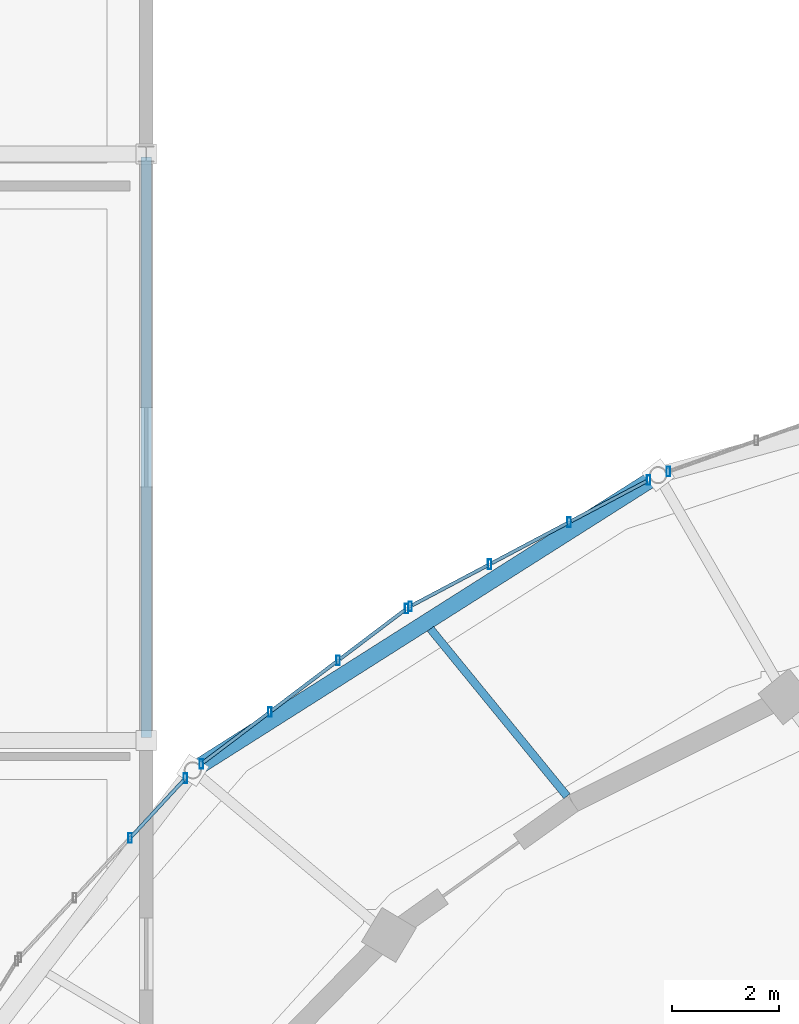
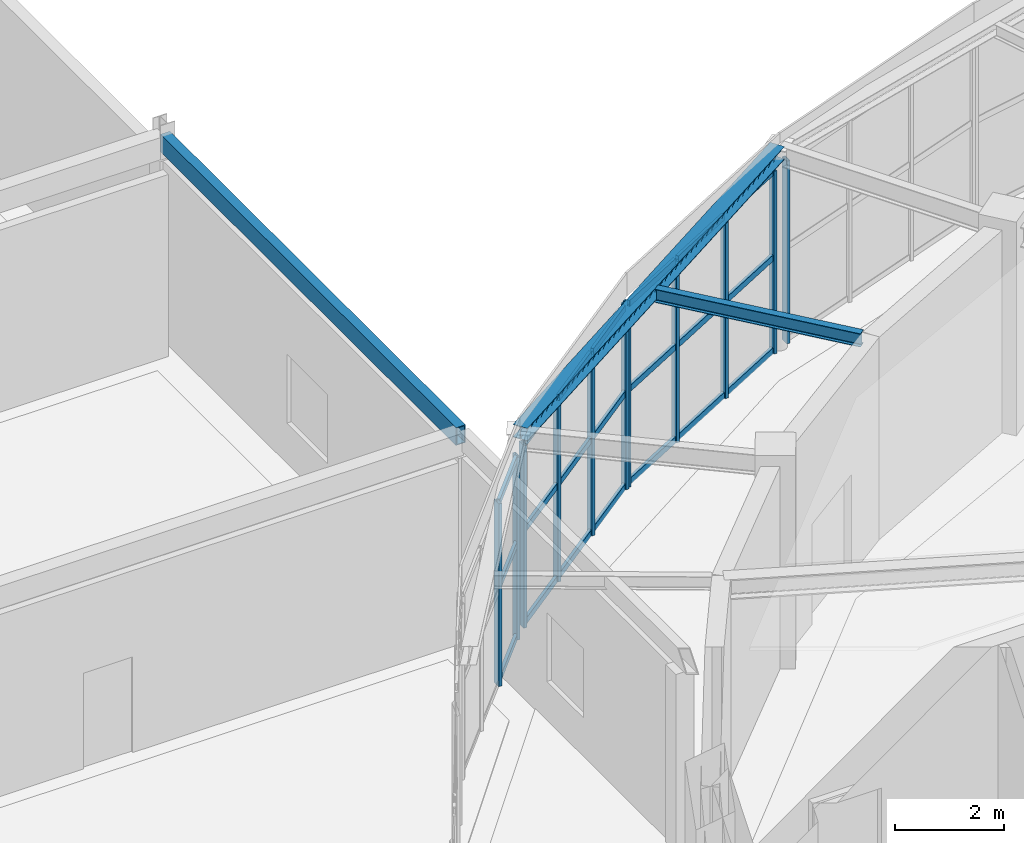
# One storey, part 54 of 108: 32 members, 3 beams, 4 elements without a shape of their own.
"""IFC4 building model written with IfcOpenShell, lengths in metres."""

from ifc_helpers import new_model, si_unit, direction, frame, origin, origin_2d, place, context, subcontext, project, spatial, hollow_rectangle, i_section, extrude, material, material_profile, profile_set, type_object, element, aggregate, save


model = new_model("IFC4")

# Units and contexts
model_context = context("Model", 3, precision=1e-05, world=origin(), true_north=direction((0.0, 1.0)))
body_context = subcontext(model_context, "Body", "Model", "MODEL_VIEW")
ifc_project = project(units=[si_unit("LENGTHUNIT", "METRE"), si_unit("AREAUNIT", "SQUARE_METRE"), si_unit("VOLUMEUNIT", "CUBIC_METRE"), si_unit("PLANEANGLEUNIT", "RADIAN"), si_unit("MASSUNIT", "GRAM", prefix="KILO")], contexts=[model_context])

# Site, building, storey
site_placement = place(None, origin())
site = spatial("IfcSite", under=ifc_project, at=site_placement, CompositionType="ELEMENT")
building_placement = place(site_placement, origin())
building = spatial("IfcBuilding", under=site, at=building_placement, Name="Tarnveldt Headland Concert Hall", CompositionType="ELEMENT")
storey_placement = place(building_placement, frame((0.0, 0.0, 9.60009765625)))
storey = spatial("IfcBuildingStorey", under=building, at=storey_placement, Name="L02", CompositionType="ELEMENT", Elevation=9.60009765625)

# Curtain wall, member
ifc_material_1 = material(Name="Marine-anodised aluminium EN AW-6063-T6", Category="aluminium")
curtain_wall_type = type_object("IfcCurtainWallType", Name="CW-F3", PredefinedType="NOTDEFINED", material=ifc_material_1)
curtain_wall_1_placement = place(storey_placement, origin())
curtain_wall_1 = element("IfcCurtainWall", 1, at=curtain_wall_1_placement, inside=storey, type_object=curtain_wall_type, Name="Curtain wall CW-L02-071", PredefinedType="NOTDEFINED")
ifc_material_profile_1 = material_profile(ifc_material_1, hollow_rectangle(XDim=0.06494140625, YDim=0.179931640625, WallThickness=0.00390625, at=origin_2d()), Name="ALU MULLION 65x180x4", Category="aluminium")
ifc_profile_set_1 = profile_set([ifc_material_profile_1], Name="Marine-anodised aluminium EN AW-6063-T6")
member_type_1 = type_object("IfcMemberType", Name="ML-180", PredefinedType="MULLION", material=ifc_profile_set_1)
member_1_placement = place(storey_placement, frame((67.29052734375, 76.044677734375, 0.0), z_axis=(0.0, 0.0, 1.0), x_axis=(1.0, 0.0, 0.0)))
member_1 = element("IfcMember", 2, at=member_1_placement, type_object=member_type_1, Name="Mullion CW-L02-071-4", PredefinedType="MULLION", context=body_context, shape_type="SweptSolid", body=[
    extrude(hollow_rectangle(XDim=0.06494140625, YDim=0.179931640625, WallThickness=0.00390625, at=origin_2d()), origin(), (0.0, 0.0, 1.0), 4.10791015625),
])
aggregate(curtain_wall_1, [member_1])

# Curtain wall, members
curtain_wall_2_placement = place(storey_placement, origin())
curtain_wall_2 = element("IfcCurtainWall", 3, at=curtain_wall_2_placement, inside=storey, type_object=curtain_wall_type, Name="Curtain wall CW-L02-072", PredefinedType="NOTDEFINED")
member_2_placement = place(storey_placement, frame((66.92138671875, 75.8828125, 0.0), z_axis=(0.0, 0.0, 1.0), x_axis=(1.0, 0.0, 0.0)))
member_2 = element("IfcMember", 4, at=member_2_placement, type_object=member_type_1, Name="Mullion CW-L02-072-1", PredefinedType="MULLION", context=body_context, shape_type="SweptSolid", body=[
    extrude(hollow_rectangle(XDim=0.06494140625, YDim=0.179931640625, WallThickness=0.00390625, at=origin_2d()), origin(), (0.0, 0.0, 1.0), 4.10791015625),
])
member_3_placement = place(storey_placement, frame((65.431640625, 75.093994140625, 0.0), z_axis=(0.0, 0.0, 1.0), x_axis=(1.0, 0.0, 0.0)))
member_3 = element("IfcMember", 5, at=member_3_placement, type_object=member_type_1, Name="Mullion CW-L02-072-2", PredefinedType="MULLION", context=body_context, shape_type="SweptSolid", body=[
    extrude(hollow_rectangle(XDim=0.06494140625, YDim=0.179931640625, WallThickness=0.00390625, at=origin_2d()), origin(), (0.0, 0.0, 1.0), 4.10791015625),
])
member_4_placement = place(storey_placement, frame((63.94189453125, 74.305419921875, 0.0), z_axis=(0.0, 0.0, 1.0), x_axis=(1.0, 0.0, 0.0)))
member_4 = element("IfcMember", 6, at=member_4_placement, type_object=member_type_1, Name="Mullion CW-L02-072-3", PredefinedType="MULLION", context=body_context, shape_type="SweptSolid", body=[
    extrude(hollow_rectangle(XDim=0.06494140625, YDim=0.179931640625, WallThickness=0.00390625, at=origin_2d()), origin(), (0.0, 0.0, 1.0), 4.10791015625),
])
member_5_placement = place(storey_placement, frame((62.451904296875, 73.5166015625, 0.0), z_axis=(0.0, 0.0, 1.0), x_axis=(1.0, 0.0, 0.0)))
member_5 = element("IfcMember", 7, at=member_5_placement, type_object=member_type_1, Name="Mullion CW-L02-072-4", PredefinedType="MULLION", context=body_context, shape_type="SweptSolid", body=[
    extrude(hollow_rectangle(XDim=0.06494140625, YDim=0.179931640625, WallThickness=0.00390625, at=origin_2d()), origin(), (0.0, 0.0, 1.0), 4.10791015625),
])

curtain_wall_3_placement = place(storey_placement, origin())
curtain_wall_3 = element("IfcCurtainWall", 8, at=curtain_wall_3_placement, inside=storey, type_object=curtain_wall_type, Name="Curtain wall CW-L02-073", PredefinedType="NOTDEFINED")
member_6_placement = place(storey_placement, frame((62.384765625, 73.473876953125, 0.0), z_axis=(0.0, 0.0, 1.0), x_axis=(1.0, 0.0, 0.0)))
member_6 = element("IfcMember", 9, at=member_6_placement, type_object=member_type_1, Name="Mullion CW-L02-073-1", PredefinedType="MULLION", context=body_context, shape_type="SweptSolid", body=[
    extrude(hollow_rectangle(XDim=0.06494140625, YDim=0.179931640625, WallThickness=0.00390625, at=origin_2d()), origin(), (0.0, 0.0, 1.0), 4.10791015625),
])
member_7_placement = place(storey_placement, frame((61.101318359375, 72.50341796875, 0.0), z_axis=(0.0, 0.0, 1.0), x_axis=(1.0, 0.0, 0.0)))
member_7 = element("IfcMember", 10, at=member_7_placement, type_object=member_type_1, Name="Mullion CW-L02-073-2", PredefinedType="MULLION", context=body_context, shape_type="SweptSolid", body=[
    extrude(hollow_rectangle(XDim=0.06494140625, YDim=0.179931640625, WallThickness=0.00390625, at=origin_2d()), origin(), (0.0, 0.0, 1.0), 4.10791015625),
])
member_8_placement = place(storey_placement, frame((59.818115234375, 71.533203125, 0.0), z_axis=(0.0, 0.0, 1.0), x_axis=(1.0, 0.0, 0.0)))
member_8 = element("IfcMember", 11, at=member_8_placement, type_object=member_type_1, Name="Mullion CW-L02-073-3", PredefinedType="MULLION", context=body_context, shape_type="SweptSolid", body=[
    extrude(hollow_rectangle(XDim=0.06494140625, YDim=0.179931640625, WallThickness=0.00390625, at=origin_2d()), origin(), (0.0, 0.0, 1.0), 4.10791015625),
])
member_9_placement = place(storey_placement, frame((58.534912109375, 70.56298828125, 0.0), z_axis=(0.0, 0.0, 1.0), x_axis=(1.0, 0.0, 0.0)))
member_9 = element("IfcMember", 12, at=member_9_placement, type_object=member_type_1, Name="Mullion CW-L02-073-4", PredefinedType="MULLION", context=body_context, shape_type="SweptSolid", body=[
    extrude(hollow_rectangle(XDim=0.06494140625, YDim=0.179931640625, WallThickness=0.00390625, at=origin_2d()), origin(), (0.0, 0.0, 1.0), 4.10791015625),
])

curtain_wall_4_placement = place(storey_placement, origin())
curtain_wall_4 = element("IfcCurtainWall", 13, at=curtain_wall_4_placement, inside=storey, type_object=curtain_wall_type, Name="Curtain wall CW-L02-074", PredefinedType="NOTDEFINED")
member_10_placement = place(storey_placement, frame((58.236572265625, 70.29296875, 0.0), z_axis=(0.0, 0.0, 1.0), x_axis=(1.0, 0.0, 0.0)))
member_10 = element("IfcMember", 14, at=member_10_placement, type_object=member_type_1, Name="Mullion CW-L02-074-1", PredefinedType="MULLION", context=body_context, shape_type="SweptSolid", body=[
    extrude(hollow_rectangle(XDim=0.06494140625, YDim=0.179931640625, WallThickness=0.00390625, at=origin_2d()), origin(), (0.0, 0.0, 1.0), 4.10791015625),
])
member_11_placement = place(storey_placement, frame((57.1982421875, 69.171630859375, 0.0), z_axis=(0.0, 0.0, 1.0), x_axis=(1.0, 0.0, 0.0)))
member_11 = element("IfcMember", 15, at=member_11_placement, type_object=member_type_1, Name="Mullion CW-L02-074-2", PredefinedType="MULLION", context=body_context, shape_type="SweptSolid", body=[
    extrude(hollow_rectangle(XDim=0.06494140625, YDim=0.179931640625, WallThickness=0.00390625, at=origin_2d()), origin(), (0.0, 0.0, 1.0), 4.10791015625),
])

# Beams
ifc_material_2 = material(Name="Steel S355", Category="steel")
ifc_material_profile_2 = material_profile(ifc_material_2, i_section(OverallWidth=0.300048828125, OverallDepth=0.2900390625, WebThickness=0.008544921875, FlangeThickness=0.013916015625, FilletRadius=0.027099609375, at=origin_2d()), Name="HEA300", Category="steel")
ifc_profile_set_2 = profile_set([ifc_material_profile_2], Name="Steel S355")
beam_type_1 = type_object("IfcBeamType", Name="SB-HEA300", PredefinedType="SPANDREL", material=ifc_profile_set_2)
beam_1_placement = place(storey_placement, frame((67.04931640625, 75.9453125, 4.4248046875), z_axis=(-0.844390967344, -0.535727444012, 0.0), x_axis=(0.535727444012, -0.844390967344, 0.0)))
element("IfcBeam", 16, at=beam_1_placement, inside=storey, type_object=beam_type_1, Name="Framing beam L02-1013", PredefinedType="SPANDREL", context=body_context, shape_type="SweptSolid", body=[
    extrude(i_section(OverallWidth=0.300048828125, OverallDepth=0.2900390625, WebThickness=0.008544921875, FlangeThickness=0.013916015625, FilletRadius=0.027099609375, at=origin_2d()), origin(), (0.0, 0.0, 1.0), 10.21435546875),
])
ifc_material_profile_3 = material_profile(ifc_material_2, i_section(OverallWidth=0.14990234375, OverallDepth=0.300048828125, WebThickness=0.007080078125, FlangeThickness=0.0107421875, FilletRadius=0.014892578125, at=origin_2d()), Name="IPE300", Category="steel")
ifc_profile_set_3 = profile_set([ifc_material_profile_3], Name="Steel S355")
beam_type_2 = type_object("IfcBeamType", Name="SB-IPE300", PredefinedType="JOIST", material=ifc_profile_set_3)
beam_2_placement = place(storey_placement, frame((65.391357421875, 69.95654296875, 4.419921875), z_axis=(-0.632291553532, 0.774730528205, 0.0), x_axis=(-0.774730528205, -0.632291553532, 0.0)))
element("IfcBeam", 17, at=beam_2_placement, inside=storey, type_object=beam_type_2, Name="Framing beam L02-1015", PredefinedType="JOIST", context=body_context, shape_type="SweptSolid", body=[
    extrude(i_section(OverallWidth=0.14990234375, OverallDepth=0.300048828125, WebThickness=0.007080078125, FlangeThickness=0.0107421875, FilletRadius=0.014892578125, at=origin_2d()), origin(), (0.0, 0.0, 1.0), 4.048583984375),
])
ifc_material_profile_4 = material_profile(ifc_material_2, hollow_rectangle(XDim=0.199951171875, YDim=0.39990234375, WallThickness=0.01611328125, at=origin_2d()), Name="RHS 400x200x16", Category="steel")
ifc_profile_set_4 = profile_set([ifc_material_profile_4], Name="Steel S355")
beam_type_3 = type_object("IfcBeamType", Name="SB-RHS400", PredefinedType="BEAM", material=ifc_profile_set_4)
beam_3_placement = place(storey_placement, frame((57.5, 71.06005859375, 4.33984375), z_axis=(0.0, 1.0, 0.0), x_axis=(-1.0, 0.0, 0.0)))
element("IfcBeam", 18, at=beam_3_placement, inside=storey, type_object=beam_type_3, Name="Framing beam L02-1226", PredefinedType="BEAM", context=body_context, shape_type="SweptSolid", body=[
    extrude(hollow_rectangle(XDim=0.199951171875, YDim=0.39990234375, WallThickness=0.01611328125, at=origin_2d()), origin(), (0.0, 0.0, 1.0), 10.8798828125),
])

# Member
ifc_material_profile_5 = material_profile(ifc_material_1, hollow_rectangle(XDim=0.06494140625, YDim=0.139892578125, WallThickness=0.00390625, at=origin_2d()), Name="ALU TRANSOM 65x140x4", Category="aluminium")
ifc_profile_set_5 = profile_set([ifc_material_profile_5], Name="Marine-anodised aluminium EN AW-6063-T6")
member_type_2 = type_object("IfcMemberType", Name="TR-140", PredefinedType="MEMBER", material=ifc_profile_set_5)
member_12_placement = place(storey_placement, frame((66.882080078125, 75.862060546875, 0.0498046875), z_axis=(-0.883787916347, -0.467887720419, 0.0), x_axis=(0.467887720419, -0.883787916347, 0.0)))
member_12 = element("IfcMember", 19, at=member_12_placement, type_object=member_type_2, Name="Transom CW-L02-072-1-1", PredefinedType="MEMBER", context=body_context, shape_type="SweptSolid", body=[
    extrude(hollow_rectangle(XDim=0.06494140625, YDim=0.139892578125, WallThickness=0.00390625, at=origin_2d()), origin(), (0.0, 0.0, 1.0), 1.5966796875),
])

member_13_placement = place(storey_placement, frame((66.882080078125, 75.862060546875, 2.135986328125), z_axis=(-0.883787916347, -0.467887720419, 0.0), x_axis=(0.467887720419, -0.883787916347, 0.0)))
member_13 = element("IfcMember", 20, at=member_13_placement, type_object=member_type_2, Name="Transom CW-L02-072-1-2", PredefinedType="MEMBER", context=body_context, shape_type="SweptSolid", body=[
    extrude(hollow_rectangle(XDim=0.06494140625, YDim=0.139892578125, WallThickness=0.00390625, at=origin_2d()), origin(), (0.0, 0.0, 1.0), 1.5966796875),
])

member_14_placement = place(storey_placement, frame((66.882080078125, 75.862060546875, 4.057861328125), z_axis=(-0.883787916347, -0.467887720419, 0.0), x_axis=(0.467887720419, -0.883787916347, 0.0)))
member_14 = element("IfcMember", 21, at=member_14_placement, type_object=member_type_2, Name="Transom CW-L02-072-1-3", PredefinedType="MEMBER", context=body_context, shape_type="SweptSolid", body=[
    extrude(hollow_rectangle(XDim=0.06494140625, YDim=0.139892578125, WallThickness=0.00390625, at=origin_2d()), origin(), (0.0, 0.0, 1.0), 1.5966796875),
])

member_15_placement = place(storey_placement, frame((65.392333984375, 75.0732421875, 0.0498046875), z_axis=(-0.883787916347, -0.467887720419, 0.0), x_axis=(0.467887720419, -0.883787916347, 0.0)))
member_15 = element("IfcMember", 22, at=member_15_placement, type_object=member_type_2, Name="Transom CW-L02-072-2-1", PredefinedType="MEMBER", context=body_context, shape_type="SweptSolid", body=[
    extrude(hollow_rectangle(XDim=0.06494140625, YDim=0.139892578125, WallThickness=0.00390625, at=origin_2d()), origin(), (0.0, 0.0, 1.0), 1.5966796875),
])

member_16_placement = place(storey_placement, frame((65.392333984375, 75.0732421875, 2.135986328125), z_axis=(-0.883787916347, -0.467887720419, 0.0), x_axis=(0.467887720419, -0.883787916347, 0.0)))
member_16 = element("IfcMember", 23, at=member_16_placement, type_object=member_type_2, Name="Transom CW-L02-072-2-2", PredefinedType="MEMBER", context=body_context, shape_type="SweptSolid", body=[
    extrude(hollow_rectangle(XDim=0.06494140625, YDim=0.139892578125, WallThickness=0.00390625, at=origin_2d()), origin(), (0.0, 0.0, 1.0), 1.5966796875),
])

member_17_placement = place(storey_placement, frame((65.392333984375, 75.0732421875, 4.057861328125), z_axis=(-0.883787916347, -0.467887720419, 0.0), x_axis=(0.467887720419, -0.883787916347, 0.0)))
member_17 = element("IfcMember", 24, at=member_17_placement, type_object=member_type_2, Name="Transom CW-L02-072-2-3", PredefinedType="MEMBER", context=body_context, shape_type="SweptSolid", body=[
    extrude(hollow_rectangle(XDim=0.06494140625, YDim=0.139892578125, WallThickness=0.00390625, at=origin_2d()), origin(), (0.0, 0.0, 1.0), 1.5966796875),
])

member_18_placement = place(storey_placement, frame((63.902587890625, 74.284423828125, 0.0498046875), z_axis=(-0.883821383247, -0.467824499695, 0.0), x_axis=(0.467824499695, -0.883821383247, 0.0)))
member_18 = element("IfcMember", 25, at=member_18_placement, type_object=member_type_2, Name="Transom CW-L02-072-3-1", PredefinedType="MEMBER", context=body_context, shape_type="SweptSolid", body=[
    extrude(hollow_rectangle(XDim=0.06494140625, YDim=0.139892578125, WallThickness=0.00390625, at=origin_2d()), origin(), (0.0, 0.0, 1.0), 1.596923828125),
])

member_19_placement = place(storey_placement, frame((63.902587890625, 74.284423828125, 2.135986328125), z_axis=(-0.883821383247, -0.467824499695, 0.0), x_axis=(0.467824499695, -0.883821383247, 0.0)))
member_19 = element("IfcMember", 26, at=member_19_placement, type_object=member_type_2, Name="Transom CW-L02-072-3-2", PredefinedType="MEMBER", context=body_context, shape_type="SweptSolid", body=[
    extrude(hollow_rectangle(XDim=0.06494140625, YDim=0.139892578125, WallThickness=0.00390625, at=origin_2d()), origin(), (0.0, 0.0, 1.0), 1.596923828125),
])

member_20_placement = place(storey_placement, frame((63.902587890625, 74.284423828125, 4.057861328125), z_axis=(-0.883821383247, -0.467824499695, 0.0), x_axis=(0.467824499695, -0.883821383247, 0.0)))
member_20 = element("IfcMember", 27, at=member_20_placement, type_object=member_type_2, Name="Transom CW-L02-072-3-3", PredefinedType="MEMBER", context=body_context, shape_type="SweptSolid", body=[
    extrude(hollow_rectangle(XDim=0.06494140625, YDim=0.139892578125, WallThickness=0.00390625, at=origin_2d()), origin(), (0.0, 0.0, 1.0), 1.596923828125),
])

aggregate(curtain_wall_2, [member_2, member_3, member_4, member_5, member_12, member_13, member_14, member_15, member_16, member_17, member_18, member_19, member_20])

member_21_placement = place(storey_placement, frame((62.34912109375, 73.447021484375, 0.0498046875), z_axis=(-0.797583929447, -0.603207986923, 0.0), x_axis=(0.603207986923, -0.797583929447, 0.0)))
member_21 = element("IfcMember", 28, at=member_21_placement, type_object=member_type_2, Name="Transom CW-L02-073-1-1", PredefinedType="MEMBER", context=body_context, shape_type="SweptSolid", body=[
    extrude(hollow_rectangle(XDim=0.06494140625, YDim=0.139892578125, WallThickness=0.00390625, at=origin_2d()), origin(), (0.0, 0.0, 1.0), 1.519775390625),
])

member_22_placement = place(storey_placement, frame((62.34912109375, 73.447021484375, 2.135986328125), z_axis=(-0.797583929447, -0.603207986923, 0.0), x_axis=(0.603207986923, -0.797583929447, 0.0)))
member_22 = element("IfcMember", 29, at=member_22_placement, type_object=member_type_2, Name="Transom CW-L02-073-1-2", PredefinedType="MEMBER", context=body_context, shape_type="SweptSolid", body=[
    extrude(hollow_rectangle(XDim=0.06494140625, YDim=0.139892578125, WallThickness=0.00390625, at=origin_2d()), origin(), (0.0, 0.0, 1.0), 1.519775390625),
])

member_23_placement = place(storey_placement, frame((62.34912109375, 73.447021484375, 4.057861328125), z_axis=(-0.797583929447, -0.603207986923, 0.0), x_axis=(0.603207986923, -0.797583929447, 0.0)))
member_23 = element("IfcMember", 30, at=member_23_placement, type_object=member_type_2, Name="Transom CW-L02-073-1-3", PredefinedType="MEMBER", context=body_context, shape_type="SweptSolid", body=[
    extrude(hollow_rectangle(XDim=0.06494140625, YDim=0.139892578125, WallThickness=0.00390625, at=origin_2d()), origin(), (0.0, 0.0, 1.0), 1.519775390625),
])

member_24_placement = place(storey_placement, frame((61.06591796875, 72.476806640625, 0.0498046875), z_axis=(-0.797642369129, -0.603130708031, 0.0), x_axis=(0.603130708031, -0.797642369129, 0.0)))
member_24 = element("IfcMember", 31, at=member_24_placement, type_object=member_type_2, Name="Transom CW-L02-073-2-1", PredefinedType="MEMBER", context=body_context, shape_type="SweptSolid", body=[
    extrude(hollow_rectangle(XDim=0.06494140625, YDim=0.139892578125, WallThickness=0.00390625, at=origin_2d()), origin(), (0.0, 0.0, 1.0), 1.52001953125),
])

member_25_placement = place(storey_placement, frame((61.06591796875, 72.476806640625, 2.135986328125), z_axis=(-0.797642369129, -0.603130708031, 0.0), x_axis=(0.603130708031, -0.797642369129, 0.0)))
member_25 = element("IfcMember", 32, at=member_25_placement, type_object=member_type_2, Name="Transom CW-L02-073-2-2", PredefinedType="MEMBER", context=body_context, shape_type="SweptSolid", body=[
    extrude(hollow_rectangle(XDim=0.06494140625, YDim=0.139892578125, WallThickness=0.00390625, at=origin_2d()), origin(), (0.0, 0.0, 1.0), 1.52001953125),
])

member_26_placement = place(storey_placement, frame((61.06591796875, 72.476806640625, 4.057861328125), z_axis=(-0.797642369129, -0.603130708031, 0.0), x_axis=(0.603130708031, -0.797642369129, 0.0)))
member_26 = element("IfcMember", 33, at=member_26_placement, type_object=member_type_2, Name="Transom CW-L02-073-2-3", PredefinedType="MEMBER", context=body_context, shape_type="SweptSolid", body=[
    extrude(hollow_rectangle(XDim=0.06494140625, YDim=0.139892578125, WallThickness=0.00390625, at=origin_2d()), origin(), (0.0, 0.0, 1.0), 1.52001953125),
])

member_27_placement = place(storey_placement, frame((59.78271484375, 71.50634765625, 0.0498046875), z_axis=(-0.797642369129, -0.603130708031, 0.0), x_axis=(0.603130708031, -0.797642369129, 0.0)))
member_27 = element("IfcMember", 34, at=member_27_placement, type_object=member_type_2, Name="Transom CW-L02-073-3-1", PredefinedType="MEMBER", context=body_context, shape_type="SweptSolid", body=[
    extrude(hollow_rectangle(XDim=0.06494140625, YDim=0.139892578125, WallThickness=0.00390625, at=origin_2d()), origin(), (0.0, 0.0, 1.0), 1.52001953125),
])

member_28_placement = place(storey_placement, frame((59.78271484375, 71.50634765625, 2.135986328125), z_axis=(-0.797642369129, -0.603130708031, 0.0), x_axis=(0.603130708031, -0.797642369129, 0.0)))
member_28 = element("IfcMember", 35, at=member_28_placement, type_object=member_type_2, Name="Transom CW-L02-073-3-2", PredefinedType="MEMBER", context=body_context, shape_type="SweptSolid", body=[
    extrude(hollow_rectangle(XDim=0.06494140625, YDim=0.139892578125, WallThickness=0.00390625, at=origin_2d()), origin(), (0.0, 0.0, 1.0), 1.52001953125),
])

member_29_placement = place(storey_placement, frame((59.78271484375, 71.50634765625, 4.057861328125), z_axis=(-0.797642369129, -0.603130708031, 0.0), x_axis=(0.603130708031, -0.797642369129, 0.0)))
member_29 = element("IfcMember", 36, at=member_29_placement, type_object=member_type_2, Name="Transom CW-L02-073-3-3", PredefinedType="MEMBER", context=body_context, shape_type="SweptSolid", body=[
    extrude(hollow_rectangle(XDim=0.06494140625, YDim=0.139892578125, WallThickness=0.00390625, at=origin_2d()), origin(), (0.0, 0.0, 1.0), 1.52001953125),
])

aggregate(curtain_wall_3, [member_6, member_7, member_8, member_9, member_21, member_22, member_23, member_24, member_25, member_26, member_27, member_28, member_29])

member_30_placement = place(storey_placement, frame((58.206298828125, 70.26025390625, 0.0498046875), z_axis=(-0.679441860222, -0.733729349678, 0.0), x_axis=(0.733729349678, -0.679441860222, 0.0)))
member_30 = element("IfcMember", 37, at=member_30_placement, type_object=member_type_2, Name="Transom CW-L02-074-1-1", PredefinedType="MEMBER", context=body_context, shape_type="SweptSolid", body=[
    extrude(hollow_rectangle(XDim=0.06494140625, YDim=0.139892578125, WallThickness=0.00390625, at=origin_2d()), origin(), (0.0, 0.0, 1.0), 1.439208984375),
])

member_31_placement = place(storey_placement, frame((58.206298828125, 70.26025390625, 2.135986328125), z_axis=(-0.679441860222, -0.733729349678, 0.0), x_axis=(0.733729349678, -0.679441860222, 0.0)))
member_31 = element("IfcMember", 38, at=member_31_placement, type_object=member_type_2, Name="Transom CW-L02-074-1-2", PredefinedType="MEMBER", context=body_context, shape_type="SweptSolid", body=[
    extrude(hollow_rectangle(XDim=0.06494140625, YDim=0.139892578125, WallThickness=0.00390625, at=origin_2d()), origin(), (0.0, 0.0, 1.0), 1.439208984375),
])

member_32_placement = place(storey_placement, frame((58.206298828125, 70.26025390625, 4.057861328125), z_axis=(-0.679441860222, -0.733729349678, 0.0), x_axis=(0.733729349678, -0.679441860222, 0.0)))
member_32 = element("IfcMember", 39, at=member_32_placement, type_object=member_type_2, Name="Transom CW-L02-074-1-3", PredefinedType="MEMBER", context=body_context, shape_type="SweptSolid", body=[
    extrude(hollow_rectangle(XDim=0.06494140625, YDim=0.139892578125, WallThickness=0.00390625, at=origin_2d()), origin(), (0.0, 0.0, 1.0), 1.439208984375),
])

aggregate(curtain_wall_4, [member_10, member_11, member_30, member_31, member_32])

save(model, "model.ifc")
